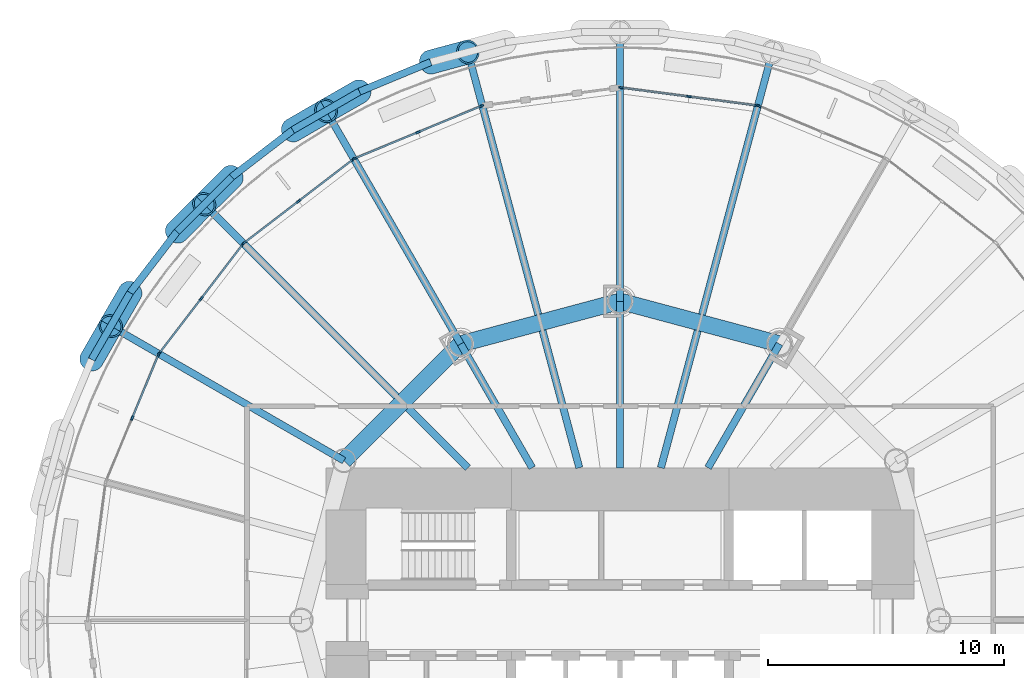
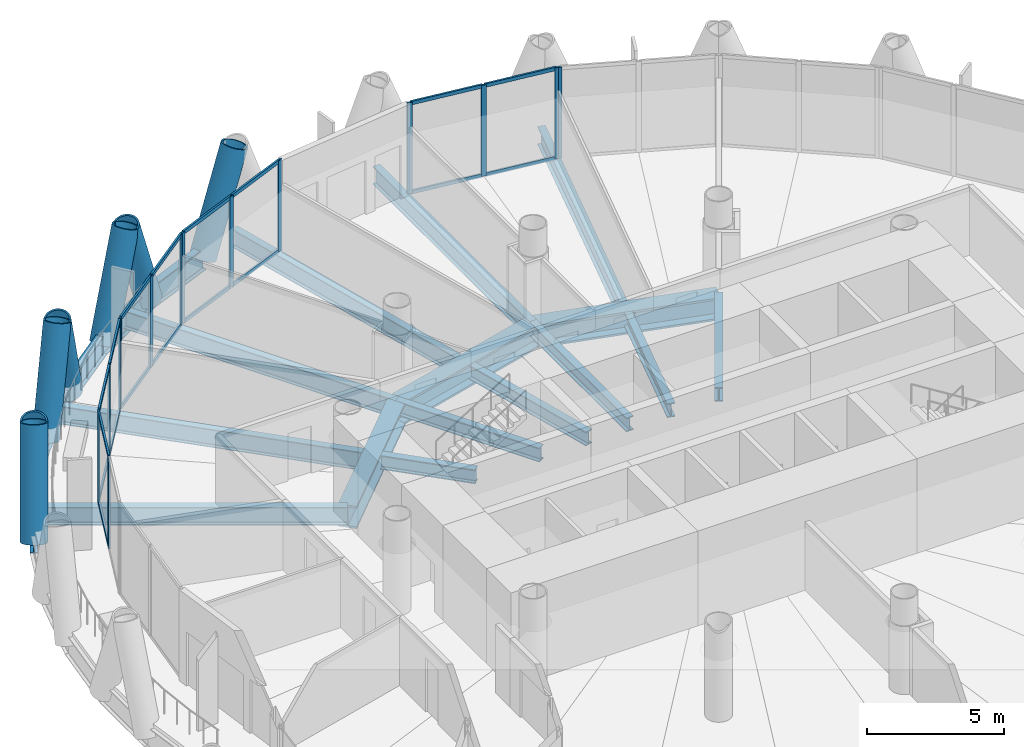
# One storey, part 6 of 16: 40 members, 21 beams, 6 elements without a shape of their own.
"""IFC4 building model written with IfcOpenShell, lengths in metres."""

from ifc_helpers import new_model, si_unit, direction, frame, origin, origin_2d, place, context, subcontext, project, spatial, rectangle, hollow_circle, i_section, extrude, material, material_profile, profile_set, type_object, element, aggregate, save


model = new_model("IFC4")

# Units and contexts
model_context = context("Model", 3, precision=1e-05, world=origin(), true_north=direction((0.0, 1.0)))
body_context = subcontext(model_context, "Body", "Model", "MODEL_VIEW")
ifc_project = project(units=[si_unit("LENGTHUNIT", "METRE"), si_unit("AREAUNIT", "SQUARE_METRE"), si_unit("VOLUMEUNIT", "CUBIC_METRE"), si_unit("PLANEANGLEUNIT", "RADIAN"), si_unit("MASSUNIT", "GRAM", prefix="KILO")], contexts=[model_context])

# Site, building, storey
site_placement = place(None, origin())
site = spatial("IfcSite", under=ifc_project, at=site_placement, CompositionType="ELEMENT")
building_placement = place(site_placement, origin())
building = spatial("IfcBuilding", under=site, at=building_placement, Name="Qaws Media Tower", CompositionType="ELEMENT")
storey_placement = place(building_placement, frame((0.0, 0.0, 139.39990234375)))
storey = spatial("IfcBuildingStorey", under=building, at=storey_placement, Name="L31", CompositionType="ELEMENT", Elevation=139.39990234375)

# Curtain wall, member
ifc_material_1 = material(Name="Aluminium and clear glass", Category="aluminium")
curtain_wall_type = type_object("IfcCurtainWallType", Name="Unitised curtain wall CW-B", PredefinedType="NOTDEFINED", material=ifc_material_1)
curtain_wall_1_placement = place(storey_placement, origin())
curtain_wall_1 = element("IfcCurtainWall", 1, at=curtain_wall_1_placement, inside=storey, type_object=curtain_wall_type, Name="CWB curtain wall L31-05", PredefinedType="NOTDEFINED")
ifc_material_2 = material(Name="Aluminium mullion", Category="aluminium")
ifc_material_profile_1 = material_profile(ifc_material_2, rectangle(XDim=0.080078125, YDim=0.199951171875, at=origin_2d()), Name="80x200")
ifc_profile_set_1 = profile_set([ifc_material_profile_1], Name="Aluminium mullion")
member_type_1 = type_object("IfcMemberType", Name="Curtain wall mullion 80x200", PredefinedType="MULLION", material=ifc_profile_set_1)
member_1_placement = place(storey_placement, frame((65.873291015625, 71.766357421875, 0.0), z_axis=(0.0, 0.0, 1.0), x_axis=(-0.382683327828, -0.923879575812, 0.0)))
member_1 = element("IfcMember", 2, at=member_1_placement, type_object=member_type_1, Name="CWB mullion 3", PredefinedType="MULLION", context=body_context, shape_type="SweptSolid", body=[
    extrude(rectangle(XDim=0.080078125, YDim=0.199951171875, at=origin_2d()), origin(), (0.0, 0.0, 1.0), 4.0400390625),
])
aggregate(curtain_wall_1, [member_1])

# Curtain wall, members
curtain_wall_2_placement = place(storey_placement, origin())
curtain_wall_2 = element("IfcCurtainWall", 3, at=curtain_wall_2_placement, inside=storey, type_object=curtain_wall_type, Name="CWB curtain wall L31-06", PredefinedType="NOTDEFINED")
member_2_placement = place(storey_placement, frame((65.796630859375, 71.786865234375, 0.0), z_axis=(0.0, 0.0, 1.0), x_axis=(-0.130526266402, -0.991444851608, 0.0)))
member_2 = element("IfcMember", 4, at=member_2_placement, type_object=member_type_1, Name="CWB mullion 1", PredefinedType="MULLION", context=body_context, shape_type="SweptSolid", body=[
    extrude(rectangle(XDim=0.080078125, YDim=0.199951171875, at=origin_2d()), origin(), (0.0, 0.0, 1.0), 4.0400390625),
])
member_3_placement = place(storey_placement, frame((62.918212890625, 72.165771484375, 0.0), z_axis=(0.0, 0.0, 1.0), x_axis=(-0.130526266402, -0.991444851608, 0.0)))
member_3 = element("IfcMember", 5, at=member_3_placement, type_object=member_type_1, Name="CWB mullion 2", PredefinedType="MULLION", context=body_context, shape_type="SweptSolid", body=[
    extrude(rectangle(XDim=0.080078125, YDim=0.199951171875, at=origin_2d()), origin(), (0.0, 0.0, 1.0), 4.0400390625),
])
member_4_placement = place(storey_placement, frame((60.03955078125, 72.544677734375, 0.0), z_axis=(0.0, 0.0, 1.0), x_axis=(-0.130526266402, -0.991444851608, 0.0)))
member_4 = element("IfcMember", 6, at=member_4_placement, type_object=member_type_1, Name="CWB mullion 3", PredefinedType="MULLION", context=body_context, shape_type="SweptSolid", body=[
    extrude(rectangle(XDim=0.080078125, YDim=0.199951171875, at=origin_2d()), origin(), (0.0, 0.0, 1.0), 4.0400390625),
])

curtain_wall_3_placement = place(storey_placement, origin())
curtain_wall_3 = element("IfcCurtainWall", 7, at=curtain_wall_3_placement, inside=storey, type_object=curtain_wall_type, Name="CWB curtain wall L31-08", PredefinedType="NOTDEFINED")
member_5_placement = place(storey_placement, frame((54.126708984375, 71.766357421875, 0.0), z_axis=(0.0, 0.0, 1.0), x_axis=(0.382683327828, -0.923879575812, 0.0)))
member_5 = element("IfcMember", 8, at=member_5_placement, type_object=member_type_1, Name="CWB mullion 1", PredefinedType="MULLION", context=body_context, shape_type="SweptSolid", body=[
    extrude(rectangle(XDim=0.080078125, YDim=0.199951171875, at=origin_2d()), origin(), (0.0, 0.0, 1.0), 4.0400390625),
])
member_6_placement = place(storey_placement, frame((51.4443359375, 70.6552734375, 0.0), z_axis=(0.0, 0.0, 1.0), x_axis=(0.382683327828, -0.923879575812, 0.0)))
member_6 = element("IfcMember", 9, at=member_6_placement, type_object=member_type_1, Name="CWB mullion 2", PredefinedType="MULLION", context=body_context, shape_type="SweptSolid", body=[
    extrude(rectangle(XDim=0.080078125, YDim=0.199951171875, at=origin_2d()), origin(), (0.0, 0.0, 1.0), 4.0400390625),
])
member_7_placement = place(storey_placement, frame((48.761962890625, 69.544189453125, 0.0), z_axis=(0.0, 0.0, 1.0), x_axis=(0.382683327828, -0.923879575812, 0.0)))
member_7 = element("IfcMember", 10, at=member_7_placement, type_object=member_type_1, Name="CWB mullion 3", PredefinedType="MULLION", context=body_context, shape_type="SweptSolid", body=[
    extrude(rectangle(XDim=0.080078125, YDim=0.199951171875, at=origin_2d()), origin(), (0.0, 0.0, 1.0), 4.0400390625),
])

curtain_wall_4_placement = place(storey_placement, origin())
curtain_wall_4 = element("IfcCurtainWall", 11, at=curtain_wall_4_placement, inside=storey, type_object=curtain_wall_type, Name="CWB curtain wall L31-09", PredefinedType="NOTDEFINED")
member_8_placement = place(storey_placement, frame((48.693359375, 69.504638671875, 0.0), z_axis=(0.0, 0.0, 1.0), x_axis=(0.608761428552, -0.793353340642, 0.0)))
member_8 = element("IfcMember", 12, at=member_8_placement, type_object=member_type_1, Name="CWB mullion 1", PredefinedType="MULLION", context=body_context, shape_type="SweptSolid", body=[
    extrude(rectangle(XDim=0.080078125, YDim=0.199951171875, at=origin_2d()), origin(), (0.0, 0.0, 1.0), 4.0400390625),
])
member_9_placement = place(storey_placement, frame((46.389892578125, 67.737060546875, 0.0), z_axis=(0.0, 0.0, 1.0), x_axis=(0.608761428552, -0.793353340642, 0.0)))
member_9 = element("IfcMember", 13, at=member_9_placement, type_object=member_type_1, Name="CWB mullion 2", PredefinedType="MULLION", context=body_context, shape_type="SweptSolid", body=[
    extrude(rectangle(XDim=0.080078125, YDim=0.199951171875, at=origin_2d()), origin(), (0.0, 0.0, 1.0), 4.0400390625),
])
member_10_placement = place(storey_placement, frame((44.08642578125, 65.9697265625, 0.0), z_axis=(0.0, 0.0, 1.0), x_axis=(0.608761428552, -0.793353340642, 0.0)))
member_10 = element("IfcMember", 14, at=member_10_placement, type_object=member_type_1, Name="CWB mullion 3", PredefinedType="MULLION", context=body_context, shape_type="SweptSolid", body=[
    extrude(rectangle(XDim=0.080078125, YDim=0.199951171875, at=origin_2d()), origin(), (0.0, 0.0, 1.0), 4.0400390625),
])

curtain_wall_5_placement = place(storey_placement, origin())
curtain_wall_5 = element("IfcCurtainWall", 15, at=curtain_wall_5_placement, inside=storey, type_object=curtain_wall_type, Name="CWB curtain wall L31-10", PredefinedType="NOTDEFINED")
member_11_placement = place(storey_placement, frame((44.0302734375, 65.91357421875, 0.0), z_axis=(0.0, 0.0, 1.0), x_axis=(0.793353340642, -0.608761428552, 0.0)))
member_11 = element("IfcMember", 16, at=member_11_placement, type_object=member_type_1, Name="CWB mullion 1", PredefinedType="MULLION", context=body_context, shape_type="SweptSolid", body=[
    extrude(rectangle(XDim=0.080078125, YDim=0.199951171875, at=origin_2d()), origin(), (0.0, 0.0, 1.0), 4.0400390625),
])
member_12_placement = place(storey_placement, frame((42.262939453125, 63.610107421875, 0.0), z_axis=(0.0, 0.0, 1.0), x_axis=(0.793353340642, -0.608761428552, 0.0)))
member_12 = element("IfcMember", 17, at=member_12_placement, type_object=member_type_1, Name="CWB mullion 2", PredefinedType="MULLION", context=body_context, shape_type="SweptSolid", body=[
    extrude(rectangle(XDim=0.080078125, YDim=0.199951171875, at=origin_2d()), origin(), (0.0, 0.0, 1.0), 4.0400390625),
])
member_13_placement = place(storey_placement, frame((40.495361328125, 61.306640625, 0.0), z_axis=(0.0, 0.0, 1.0), x_axis=(0.793353340642, -0.608761428552, 0.0)))
member_13 = element("IfcMember", 18, at=member_13_placement, type_object=member_type_1, Name="CWB mullion 3", PredefinedType="MULLION", context=body_context, shape_type="SweptSolid", body=[
    extrude(rectangle(XDim=0.080078125, YDim=0.199951171875, at=origin_2d()), origin(), (0.0, 0.0, 1.0), 4.0400390625),
])

curtain_wall_6_placement = place(storey_placement, origin())
curtain_wall_6 = element("IfcCurtainWall", 19, at=curtain_wall_6_placement, inside=storey, type_object=curtain_wall_type, Name="CWB curtain wall L31-11", PredefinedType="NOTDEFINED")
member_14_placement = place(storey_placement, frame((40.455810546875, 61.238037109375, 0.0), z_axis=(0.0, 0.0, 1.0), x_axis=(0.923879575812, -0.382683327828, 0.0)))
member_14 = element("IfcMember", 20, at=member_14_placement, type_object=member_type_1, Name="CWB mullion 1", PredefinedType="MULLION", context=body_context, shape_type="SweptSolid", body=[
    extrude(rectangle(XDim=0.080078125, YDim=0.199951171875, at=origin_2d()), origin(), (0.0, 0.0, 1.0), 4.0400390625),
])
member_15_placement = place(storey_placement, frame((39.3447265625, 58.5556640625, 0.0), z_axis=(0.0, 0.0, 1.0), x_axis=(0.923879575812, -0.382683327828, 0.0)))
member_15 = element("IfcMember", 21, at=member_15_placement, type_object=member_type_1, Name="CWB mullion 2", PredefinedType="MULLION", context=body_context, shape_type="SweptSolid", body=[
    extrude(rectangle(XDim=0.080078125, YDim=0.199951171875, at=origin_2d()), origin(), (0.0, 0.0, 1.0), 4.0400390625),
])

# Member
ifc_material_3 = material(Name="Aluminium transom", Category="aluminium")
ifc_material_profile_2 = material_profile(ifc_material_3, rectangle(XDim=0.080078125, YDim=0.159912109375, at=origin_2d()), Name="80x160")
ifc_profile_set_2 = profile_set([ifc_material_profile_2], Name="Aluminium transom")
member_type_2 = type_object("IfcMemberType", Name="Curtain wall transom 80x160", PredefinedType="USERDEFINED", material=ifc_profile_set_2)
member_16_placement = place(storey_placement, frame((65.757080078125, 71.7919921875, 0.0400390625), z_axis=(-0.991439573819, 0.130566348898, 0.0), x_axis=(-0.130566348898, -0.991439573819, 0.0)))
member_16 = element("IfcMember", 22, at=member_16_placement, type_object=member_type_2, Name="CWB transom 1.1", ObjectType="TRANSOM", PredefinedType="USERDEFINED", context=body_context, shape_type="SweptSolid", body=[
    extrude(rectangle(XDim=0.080078125, YDim=0.159912109375, at=origin_2d()), origin(), (0.0, 0.0, 1.0), 2.823486328125),
])

member_17_placement = place(storey_placement, frame((65.757080078125, 71.7919921875, 4.0), z_axis=(-0.991439573819, 0.130566348898, 0.0), x_axis=(-0.130566348898, -0.991439573819, 0.0)))
member_17 = element("IfcMember", 23, at=member_17_placement, type_object=member_type_2, Name="CWB transom 1.2", ObjectType="TRANSOM", PredefinedType="USERDEFINED", context=body_context, shape_type="SweptSolid", body=[
    extrude(rectangle(XDim=0.080078125, YDim=0.159912109375, at=origin_2d()), origin(), (0.0, 0.0, 1.0), 2.823486328125),
])

member_18_placement = place(storey_placement, frame((62.87841796875, 72.171142578125, 0.0400390625), z_axis=(-0.991449291087, 0.130492540798, 0.0), x_axis=(-0.130492540798, -0.991449291087, 0.0)))
member_18 = element("IfcMember", 24, at=member_18_placement, type_object=member_type_2, Name="CWB transom 2.1", ObjectType="TRANSOM", PredefinedType="USERDEFINED", context=body_context, shape_type="SweptSolid", body=[
    extrude(rectangle(XDim=0.080078125, YDim=0.159912109375, at=origin_2d()), origin(), (0.0, 0.0, 1.0), 2.8232421875),
])

member_19_placement = place(storey_placement, frame((62.87841796875, 72.171142578125, 4.0), z_axis=(-0.991449291087, 0.130492540798, 0.0), x_axis=(-0.130492540798, -0.991449291087, 0.0)))
member_19 = element("IfcMember", 25, at=member_19_placement, type_object=member_type_2, Name="CWB transom 2.2", ObjectType="TRANSOM", PredefinedType="USERDEFINED", context=body_context, shape_type="SweptSolid", body=[
    extrude(rectangle(XDim=0.080078125, YDim=0.159912109375, at=origin_2d()), origin(), (0.0, 0.0, 1.0), 2.8232421875),
])

aggregate(curtain_wall_2, [member_2, member_3, member_4, member_16, member_17, member_18, member_19])

member_20_placement = place(storey_placement, frame((54.089599609375, 71.7509765625, 0.0400390625), z_axis=(-0.923893525329, -0.382649648969, 0.0), x_axis=(0.382649648969, -0.923893525329, 0.0)))
member_20 = element("IfcMember", 26, at=member_20_placement, type_object=member_type_2, Name="CWB transom 1.1", ObjectType="TRANSOM", PredefinedType="USERDEFINED", context=body_context, shape_type="SweptSolid", body=[
    extrude(rectangle(XDim=0.080078125, YDim=0.159912109375, at=origin_2d()), origin(), (0.0, 0.0, 1.0), 2.8232421875),
])

member_21_placement = place(storey_placement, frame((54.089599609375, 71.7509765625, 4.0), z_axis=(-0.923893525329, -0.382649648969, 0.0), x_axis=(0.382649648969, -0.923893525329, 0.0)))
member_21 = element("IfcMember", 27, at=member_21_placement, type_object=member_type_2, Name="CWB transom 1.2", ObjectType="TRANSOM", PredefinedType="USERDEFINED", context=body_context, shape_type="SweptSolid", body=[
    extrude(rectangle(XDim=0.080078125, YDim=0.159912109375, at=origin_2d()), origin(), (0.0, 0.0, 1.0), 2.8232421875),
])

member_22_placement = place(storey_placement, frame((51.407470703125, 70.639892578125, 0.0400390625), z_axis=(-0.923906185473, -0.382619080086, 0.0), x_axis=(0.382619080086, -0.923906185473, 0.0)))
member_22 = element("IfcMember", 28, at=member_22_placement, type_object=member_type_2, Name="CWB transom 2.1", ObjectType="TRANSOM", PredefinedType="USERDEFINED", context=body_context, shape_type="SweptSolid", body=[
    extrude(rectangle(XDim=0.080078125, YDim=0.159912109375, at=origin_2d()), origin(), (0.0, 0.0, 1.0), 2.823486328125),
])

member_23_placement = place(storey_placement, frame((51.407470703125, 70.639892578125, 4.0), z_axis=(-0.923906185473, -0.382619080086, 0.0), x_axis=(0.382619080086, -0.923906185473, 0.0)))
member_23 = element("IfcMember", 29, at=member_23_placement, type_object=member_type_2, Name="CWB transom 2.2", ObjectType="TRANSOM", PredefinedType="USERDEFINED", context=body_context, shape_type="SweptSolid", body=[
    extrude(rectangle(XDim=0.080078125, YDim=0.159912109375, at=origin_2d()), origin(), (0.0, 0.0, 1.0), 2.823486328125),
])

aggregate(curtain_wall_3, [member_5, member_6, member_7, member_20, member_21, member_22, member_23])

member_24_placement = place(storey_placement, frame((48.66162109375, 69.480224609375, 0.0400390625), z_axis=(-0.793362741399, -0.608749177051, 0.0), x_axis=(0.608749177051, -0.793362741399, 0.0)))
member_24 = element("IfcMember", 30, at=member_24_placement, type_object=member_type_2, Name="CWB transom 1.1", ObjectType="TRANSOM", PredefinedType="USERDEFINED", context=body_context, shape_type="SweptSolid", body=[
    extrude(rectangle(XDim=0.080078125, YDim=0.159912109375, at=origin_2d()), origin(), (0.0, 0.0, 1.0), 2.823486328125),
])

member_25_placement = place(storey_placement, frame((48.66162109375, 69.480224609375, 4.0), z_axis=(-0.793362741399, -0.608749177051, 0.0), x_axis=(0.608749177051, -0.793362741399, 0.0)))
member_25 = element("IfcMember", 31, at=member_25_placement, type_object=member_type_2, Name="CWB transom 1.2", ObjectType="TRANSOM", PredefinedType="USERDEFINED", context=body_context, shape_type="SweptSolid", body=[
    extrude(rectangle(XDim=0.080078125, YDim=0.159912109375, at=origin_2d()), origin(), (0.0, 0.0, 1.0), 2.823486328125),
])

member_26_placement = place(storey_placement, frame((46.358154296875, 67.712646484375, 0.0400390625), z_axis=(-0.793362741399, -0.608749177051, 0.0), x_axis=(0.608749177051, -0.793362741399, 0.0)))
member_26 = element("IfcMember", 32, at=member_26_placement, type_object=member_type_2, Name="CWB transom 2.1", ObjectType="TRANSOM", PredefinedType="USERDEFINED", context=body_context, shape_type="SweptSolid", body=[
    extrude(rectangle(XDim=0.080078125, YDim=0.159912109375, at=origin_2d()), origin(), (0.0, 0.0, 1.0), 2.823486328125),
])

member_27_placement = place(storey_placement, frame((46.358154296875, 67.712646484375, 4.0), z_axis=(-0.793362741399, -0.608749177051, 0.0), x_axis=(0.608749177051, -0.793362741399, 0.0)))
member_27 = element("IfcMember", 33, at=member_27_placement, type_object=member_type_2, Name="CWB transom 2.2", ObjectType="TRANSOM", PredefinedType="USERDEFINED", context=body_context, shape_type="SweptSolid", body=[
    extrude(rectangle(XDim=0.080078125, YDim=0.159912109375, at=origin_2d()), origin(), (0.0, 0.0, 1.0), 2.823486328125),
])

aggregate(curtain_wall_4, [member_8, member_9, member_10, member_24, member_25, member_26, member_27])

member_28_placement = place(storey_placement, frame((44.006103515625, 65.8818359375, 0.0400390625), z_axis=(-0.608749177051, -0.793362741399, 0.0), x_axis=(0.793362741399, -0.608749177051, 0.0)))
member_28 = element("IfcMember", 34, at=member_28_placement, type_object=member_type_2, Name="CWB transom 1.1", ObjectType="TRANSOM", PredefinedType="USERDEFINED", context=body_context, shape_type="SweptSolid", body=[
    extrude(rectangle(XDim=0.080078125, YDim=0.159912109375, at=origin_2d()), origin(), (0.0, 0.0, 1.0), 2.823486328125),
])

member_29_placement = place(storey_placement, frame((44.006103515625, 65.8818359375, 4.0), z_axis=(-0.608749177051, -0.793362741399, 0.0), x_axis=(0.793362741399, -0.608749177051, 0.0)))
member_29 = element("IfcMember", 35, at=member_29_placement, type_object=member_type_2, Name="CWB transom 1.2", ObjectType="TRANSOM", PredefinedType="USERDEFINED", context=body_context, shape_type="SweptSolid", body=[
    extrude(rectangle(XDim=0.080078125, YDim=0.159912109375, at=origin_2d()), origin(), (0.0, 0.0, 1.0), 2.823486328125),
])

member_30_placement = place(storey_placement, frame((42.238525390625, 63.578369140625, 0.0400390625), z_axis=(-0.608749177051, -0.793362741399, 0.0), x_axis=(0.793362741399, -0.608749177051, 0.0)))
member_30 = element("IfcMember", 36, at=member_30_placement, type_object=member_type_2, Name="CWB transom 2.1", ObjectType="TRANSOM", PredefinedType="USERDEFINED", context=body_context, shape_type="SweptSolid", body=[
    extrude(rectangle(XDim=0.080078125, YDim=0.159912109375, at=origin_2d()), origin(), (0.0, 0.0, 1.0), 2.823486328125),
])

member_31_placement = place(storey_placement, frame((42.238525390625, 63.578369140625, 4.0), z_axis=(-0.608749177051, -0.793362741399, 0.0), x_axis=(0.793362741399, -0.608749177051, 0.0)))
member_31 = element("IfcMember", 37, at=member_31_placement, type_object=member_type_2, Name="CWB transom 2.2", ObjectType="TRANSOM", PredefinedType="USERDEFINED", context=body_context, shape_type="SweptSolid", body=[
    extrude(rectangle(XDim=0.080078125, YDim=0.159912109375, at=origin_2d()), origin(), (0.0, 0.0, 1.0), 2.823486328125),
])

aggregate(curtain_wall_5, [member_11, member_12, member_13, member_28, member_29, member_30, member_31])

member_32_placement = place(storey_placement, frame((40.4404296875, 61.201171875, 0.0400390625), z_axis=(-0.382619080086, -0.923906185473, 0.0), x_axis=(0.923906185473, -0.382619080086, 0.0)))
member_32 = element("IfcMember", 38, at=member_32_placement, type_object=member_type_2, Name="CWB transom 1.1", ObjectType="TRANSOM", PredefinedType="USERDEFINED", context=body_context, shape_type="SweptSolid", body=[
    extrude(rectangle(XDim=0.080078125, YDim=0.159912109375, at=origin_2d()), origin(), (0.0, 0.0, 1.0), 2.823486328125),
])

member_33_placement = place(storey_placement, frame((40.4404296875, 61.201171875, 4.0), z_axis=(-0.382619080086, -0.923906185473, 0.0), x_axis=(0.923906185473, -0.382619080086, 0.0)))
member_33 = element("IfcMember", 39, at=member_33_placement, type_object=member_type_2, Name="CWB transom 1.2", ObjectType="TRANSOM", PredefinedType="USERDEFINED", context=body_context, shape_type="SweptSolid", body=[
    extrude(rectangle(XDim=0.080078125, YDim=0.159912109375, at=origin_2d()), origin(), (0.0, 0.0, 1.0), 2.823486328125),
])

aggregate(curtain_wall_6, [member_14, member_15, member_32, member_33])

# Members
ifc_material_4 = material(Name="Steel S460", Category="steel")
ifc_material_profile_3 = material_profile(ifc_material_4, hollow_circle(Radius=0.508056640625, WallThickness=0.070068359375, at=origin_2d()), Name="CHS 1016x70")
ifc_profile_set_3 = profile_set([ifc_material_profile_3], Name="Steel S460")
member_type_3 = type_object("IfcMemberType", Name="Diagrid member CHS 1016x70", PredefinedType="USERDEFINED", material=ifc_profile_set_3)
for number, where, z_axis, x_axis, name in (
    (40, (48.96484375, 72.376953125, -0.663818359375), (-0.313994548223, -0.180431724863, 0.932122211059), (0.498232164266, -0.867043661237, 0.0), "DG3 diagrid L31 A08"),
    (41, (51.97998046875, 73.6259765625, -0.663818359375), (0.349643146667, 0.094441035897, 0.932110809254), (-0.260762064686, 0.965403100068, 0.0), "DG3 diagrid L31 B08"),
    (42, (43.54931640625, 68.75830078125, -0.663818359375), (-0.25661422454, -0.255530549605, 0.932122995094), (0.705608995959, -0.708601400522, 0.0), "DG3 diagrid L31 A09"),
    (43, (46.138427734375, 70.7451171875, -0.663818359375), (0.313285600397, 0.181729488712, 0.932108644696), (-0.501767344551, 0.865002619616, 0.0), "DG3 diagrid L31 B09"),
    (44, (39.2548828125, 63.861572265625, -0.663818359375), (-0.181729488712, -0.313285600397, 0.932108644696), (0.865002619616, -0.501767344551, 0.0), "DG3 diagrid L31 A10"),
    (45, (41.24169921875, 66.45068359375, -0.663818359375), (0.255530549605, 0.25661422454, 0.932122995094), (-0.708601400522, 0.705608995959, 0.0), "DG3 diagrid L31 B10"),
    (46, (37.623046875, 61.03515625, -0.663818359375), (0.180431724863, 0.313994548223, 0.932122211059), (-0.867043661237, 0.498232164266, 0.0), "DG3 diagrid L31 B11"),
):
    element("IfcMember", number, at=place(storey_placement, frame(where, z_axis=z_axis, x_axis=x_axis)), inside=storey, type_object=member_type_3, Name=name, ObjectType="DIAGRID", PredefinedType="USERDEFINED", context=body_context, shape_type="SweptSolid", body=[
        extrude(hollow_circle(Radius=0.508056640625, WallThickness=0.070068359375, at=origin_2d()), origin(), (0.0, 0.0, 1.0), 4.505859375),
    ])

# Beams
ifc_material_5 = material(Name="Steel S460", Category="steel")
ifc_material_profile_4 = material_profile(ifc_material_5, i_section(OverallWidth=0.302001953125, OverallDepth=1.008056640625, WebThickness=0.02099609375, FlangeThickness=0.0400390625, FilletRadius=0.030029296875, at=origin_2d()), Name="HE 1000 M")
ifc_profile_set_4 = profile_set([ifc_material_profile_4], Name="Steel S460")
beam_type_1 = type_object("IfcBeamType", Name="Edge ring beam HE 1000 M", PredefinedType="BEAM", material=ifc_profile_set_4)
for number, where, z_axis, x_axis, name in (
    (47, (51.97998046875, 73.6259765625, -0.663818359375), (-0.92386729958, -0.382712963939, 0.0), (0.382712963939, -0.92386729958, 0.0), "RB3 edge ring beam L31-15"),
    (48, (48.96484375, 72.376953125, -0.663818359375), (-0.866024887666, -0.500000893942, 0.0), (0.500000893942, -0.866024887666, 0.0), "RB3 edge ring beam L31-16"),
    (49, (46.138427734375, 70.7451171875, -0.663818359375), (-0.793335373101, -0.608784843592, 0.0), (0.608784843592, -0.793335373101, 0.0), "RB3 edge ring beam L31-17"),
):
    element("IfcBeam", number, at=place(storey_placement, frame(where, z_axis=z_axis, x_axis=x_axis)), inside=storey, type_object=beam_type_1, Name=name, PredefinedType="BEAM", context=body_context, shape_type="SweptSolid", body=[
        extrude(i_section(OverallWidth=0.302001953125, OverallDepth=1.008056640625, WebThickness=0.02099609375, FlangeThickness=0.0400390625, FilletRadius=0.030029296875, at=origin_2d()), origin(), (0.0, 0.0, 1.0), 3.263671875),
    ])
beam_1_placement = place(storey_placement, frame((43.54931640625, 68.75830078125, -0.663818359375), z_axis=(-0.707106781187, -0.707106781187, 0.0), x_axis=(0.707106781187, -0.707106781187, 0.0)))
element("IfcBeam", 50, at=beam_1_placement, inside=storey, type_object=beam_type_1, Name="RB3 edge ring beam L31-18", PredefinedType="BEAM", context=body_context, shape_type="SweptSolid", body=[
    extrude(i_section(OverallWidth=0.302001953125, OverallDepth=1.008056640625, WebThickness=0.02099609375, FlangeThickness=0.0400390625, FilletRadius=0.030029296875, at=origin_2d()), origin(), (0.0, 0.0, 1.0), 3.263427734375),
])
for number, where, z_axis, x_axis, name in (
    (51, (41.24169921875, 66.45068359375, -0.663818359375), (-0.608784843592, -0.793335373101, 0.0), (0.793335373101, -0.608784843592, 0.0), "RB3 edge ring beam L31-19"),
    (52, (39.2548828125, 63.861572265625, -0.663818359375), (-0.500000893942, -0.866024887666, 0.0), (0.866024887666, -0.500000893942, 0.0), "RB3 edge ring beam L31-20"),
):
    element("IfcBeam", number, at=place(storey_placement, frame(where, z_axis=z_axis, x_axis=x_axis)), inside=storey, type_object=beam_type_1, Name=name, PredefinedType="BEAM", context=body_context, shape_type="SweptSolid", body=[
        extrude(i_section(OverallWidth=0.302001953125, OverallDepth=1.008056640625, WebThickness=0.02099609375, FlangeThickness=0.0400390625, FilletRadius=0.030029296875, at=origin_2d()), origin(), (0.0, 0.0, 1.0), 3.263671875),
    ])
ifc_material_6 = material(Name="Steel S460", Category="steel")
ifc_material_profile_5 = material_profile(ifc_material_6, i_section(OverallWidth=0.699951171875, OverallDepth=1.0, WebThickness=0.034912109375, FlangeThickness=0.090087890625, at=origin_2d()), Name="PG 1000x700")
ifc_profile_set_5 = profile_set([ifc_material_profile_5], Name="Steel S460")
beam_type_2 = type_object("IfcBeamType", Name="Inner ring girder PG 1000x700", PredefinedType="BEAM", material=ifc_profile_set_5)
for number, where, z_axis, x_axis, name in (
    (53, (66.75, 61.69140625, -0.659912109375), (-0.965928090778, 0.258810593767, 0.0), (-0.258810593767, -0.965928090778, 0.0), "B3 inner ring beam L31 I03-I04"),
    (54, (60.0, 63.5, -0.659912109375), (-0.965928090778, -0.258810593767, 0.0), (0.258810593767, -0.965928090778, 0.0), "B3 inner ring beam L31 I04-I05"),
):
    element("IfcBeam", number, at=place(storey_placement, frame(where, z_axis=z_axis, x_axis=x_axis)), inside=storey, type_object=beam_type_2, Name=name, PredefinedType="BEAM", context=body_context, shape_type="SweptSolid", body=[
        extrude(i_section(OverallWidth=0.699951171875, OverallDepth=1.0, WebThickness=0.034912109375, FlangeThickness=0.090087890625, at=origin_2d()), origin(), (0.0, 0.0, 1.0), 6.988037109375),
    ])
beam_2_placement = place(storey_placement, frame((53.25, 61.69140625, -0.659912109375), z_axis=(-0.707106781187, -0.707106781187, 0.0), x_axis=(0.707106781187, -0.707106781187, 0.0)))
element("IfcBeam", 55, at=beam_2_placement, inside=storey, type_object=beam_type_2, Name="B3 inner ring beam L31 I05-I06", PredefinedType="BEAM", context=body_context, shape_type="SweptSolid", body=[
    extrude(i_section(OverallWidth=0.699951171875, OverallDepth=1.0, WebThickness=0.034912109375, FlangeThickness=0.090087890625, at=origin_2d()), origin(), (0.0, 0.0, 1.0), 6.98828125),
])
ifc_material_7 = material(Name="Steel S355", Category="steel")
ifc_material_profile_6 = material_profile(ifc_material_7, i_section(OverallWidth=0.304931640625, OverallDepth=0.6201171875, WebThickness=0.02099609375, FlangeThickness=0.0400390625, FilletRadius=0.027099609375, at=origin_2d()), Name="HE 600 M")
ifc_profile_set_6 = profile_set([ifc_material_profile_6], Name="Steel S355")
beam_type_3 = type_object("IfcBeamType", Name="Radial beam HE 600 M, core side", PredefinedType="BEAM", material=ifc_profile_set_6)
beam_3_placement = place(storey_placement, frame((63.723876953125, 56.449951171875, -0.469970703125), z_axis=(0.499995978368, 0.866027725662, 0.0), x_axis=(-0.866027725662, 0.499995978368, 0.0)))
element("IfcBeam", 56, at=beam_3_placement, inside=storey, type_object=beam_type_3, Name="B2 radial beam L31 05", PredefinedType="BEAM", context=body_context, shape_type="SweptSolid", body=[
    extrude(i_section(OverallWidth=0.304931640625, OverallDepth=0.6201171875, WebThickness=0.02099609375, FlangeThickness=0.0400390625, FilletRadius=0.027099609375, at=origin_2d()), origin(), (0.0, 0.0, 1.0), 6.05224609375),
])
beam_4_placement = place(storey_placement, frame((61.728271484375, 56.449951171875, -0.469970703125), z_axis=(0.258819977482, 0.965925576458, 0.0), x_axis=(-0.965925576458, 0.258819977482, 0.0)))
element("IfcBeam", 57, at=beam_4_placement, inside=storey, type_object=beam_type_3, Name="B2 radial beam L31 06", PredefinedType="BEAM", context=body_context, shape_type="SweptSolid", body=[
    extrude(i_section(OverallWidth=0.304931640625, OverallDepth=0.6201171875, WebThickness=0.02099609375, FlangeThickness=0.0400390625, FilletRadius=0.027099609375, at=origin_2d()), origin(), (0.0, 0.0, 1.0), 6.012451171875),
])
beam_5_placement = place(storey_placement, frame((60.0, 56.449951171875, -0.469970703125), z_axis=(0.0, 1.0, 0.0), x_axis=(-1.0, 0.0, 0.0)))
element("IfcBeam", 58, at=beam_5_placement, inside=storey, type_object=beam_type_3, Name="B2 radial beam L31 07", PredefinedType="BEAM", context=body_context, shape_type="SweptSolid", body=[
    extrude(i_section(OverallWidth=0.304931640625, OverallDepth=0.6201171875, WebThickness=0.02099609375, FlangeThickness=0.0400390625, FilletRadius=0.027099609375, at=origin_2d()), origin(), (0.0, 0.0, 1.0), 7.050048828125),
])
beam_6_placement = place(storey_placement, frame((58.271728515625, 56.449951171875, -0.469970703125), z_axis=(-0.258819977482, 0.965925576458, 0.0), x_axis=(-0.965925576458, -0.258819977482, 0.0)))
element("IfcBeam", 59, at=beam_6_placement, inside=storey, type_object=beam_type_3, Name="B2 radial beam L31 08", PredefinedType="BEAM", context=body_context, shape_type="SweptSolid", body=[
    extrude(i_section(OverallWidth=0.304931640625, OverallDepth=0.6201171875, WebThickness=0.02099609375, FlangeThickness=0.0400390625, FilletRadius=0.027099609375, at=origin_2d()), origin(), (0.0, 0.0, 1.0), 6.012451171875),
])
beam_7_placement = place(storey_placement, frame((56.276123046875, 56.449951171875, -0.469970703125), z_axis=(-0.499995978368, 0.866027725662, 0.0), x_axis=(-0.866027725662, -0.499995978368, 0.0)))
element("IfcBeam", 60, at=beam_7_placement, inside=storey, type_object=beam_type_3, Name="B2 radial beam L31 09", PredefinedType="BEAM", context=body_context, shape_type="SweptSolid", body=[
    extrude(i_section(OverallWidth=0.304931640625, OverallDepth=0.6201171875, WebThickness=0.02099609375, FlangeThickness=0.0400390625, FilletRadius=0.027099609375, at=origin_2d()), origin(), (0.0, 0.0, 1.0), 6.05224609375),
])
beam_8_placement = place(storey_placement, frame((53.550048828125, 56.449951171875, -0.469970703125), z_axis=(-0.707106781187, 0.707106781187, 0.0), x_axis=(-0.707106781187, -0.707106781187, 0.0)))
element("IfcBeam", 61, at=beam_8_placement, inside=storey, type_object=beam_type_3, Name="B2 radial beam L31 10", PredefinedType="BEAM", context=body_context, shape_type="SweptSolid", body=[
    extrude(i_section(OverallWidth=0.304931640625, OverallDepth=0.6201171875, WebThickness=0.02099609375, FlangeThickness=0.0400390625, FilletRadius=0.027099609375, at=origin_2d()), origin(), (0.0, 0.0, 1.0), 3.568359375),
])
ifc_material_8 = material(Name="Steel S355", Category="steel")
ifc_material_profile_7 = material_profile(ifc_material_8, i_section(OverallWidth=0.300048828125, OverallDepth=0.800048828125, WebThickness=0.017578125, FlangeThickness=0.032958984375, FilletRadius=0.030029296875, at=origin_2d()), Name="HE 800 B")
ifc_profile_set_7 = profile_set([ifc_material_profile_7], Name="Steel S355")
beam_type_4 = type_object("IfcBeamType", Name="Radial beam HE 800 B", PredefinedType="BEAM", material=ifc_profile_set_7)
beam_9_placement = place(storey_placement, frame((63.465576171875, 62.933837890625, -0.559814453125), z_axis=(0.258811384245, 0.965927878977, 0.0), x_axis=(-0.965927878977, 0.258811384245, 0.0)))
element("IfcBeam", 62, at=beam_9_placement, inside=storey, type_object=beam_type_4, Name="B1 radial beam L31 06", PredefinedType="BEAM", context=body_context, shape_type="SweptSolid", body=[
    extrude(i_section(OverallWidth=0.300048828125, OverallDepth=0.800048828125, WebThickness=0.017578125, FlangeThickness=0.032958984375, FilletRadius=0.030029296875, at=origin_2d()), origin(), (0.0, 0.0, 1.0), 11.506591796875),
])
beam_10_placement = place(storey_placement, frame((60.0, 63.5, -0.559814453125), z_axis=(0.0, 1.0, 0.0), x_axis=(-1.0, 0.0, 0.0)))
element("IfcBeam", 63, at=beam_10_placement, inside=storey, type_object=beam_type_4, Name="B1 radial beam L31 07", PredefinedType="BEAM", context=body_context, shape_type="SweptSolid", body=[
    extrude(i_section(OverallWidth=0.300048828125, OverallDepth=0.800048828125, WebThickness=0.017578125, FlangeThickness=0.032958984375, FilletRadius=0.030029296875, at=origin_2d()), origin(), (0.0, 0.0, 1.0), 11.396484375),
])
beam_11_placement = place(storey_placement, frame((56.534423828125, 62.933837890625, -0.559814453125), z_axis=(-0.258811384245, 0.965927878977, 0.0), x_axis=(-0.965927878977, -0.258811384245, 0.0)))
element("IfcBeam", 64, at=beam_11_placement, inside=storey, type_object=beam_type_4, Name="B1 radial beam L31 08", PredefinedType="BEAM", context=body_context, shape_type="SweptSolid", body=[
    extrude(i_section(OverallWidth=0.300048828125, OverallDepth=0.800048828125, WebThickness=0.017578125, FlangeThickness=0.032958984375, FilletRadius=0.030029296875, at=origin_2d()), origin(), (0.0, 0.0, 1.0), 11.506591796875),
])
beam_12_placement = place(storey_placement, frame((53.25, 61.69140625, -0.559814453125), z_axis=(-0.500000610825, 0.866025051124, 0.0), x_axis=(-0.866025051124, -0.500000610825, 0.0)))
element("IfcBeam", 65, at=beam_12_placement, inside=storey, type_object=beam_type_4, Name="B1 radial beam L31 09", PredefinedType="BEAM", context=body_context, shape_type="SweptSolid", body=[
    extrude(i_section(OverallWidth=0.300048828125, OverallDepth=0.800048828125, WebThickness=0.017578125, FlangeThickness=0.032958984375, FilletRadius=0.030029296875, at=origin_2d()), origin(), (0.0, 0.0, 1.0), 11.396484375),
])
beam_13_placement = place(storey_placement, frame((50.53173828125, 59.46826171875, -0.559814453125), z_axis=(-0.707106781187, 0.707106781187, 0.0), x_axis=(-0.707106781187, -0.707106781187, 0.0)))
element("IfcBeam", 66, at=beam_13_placement, inside=storey, type_object=beam_type_4, Name="B1 radial beam L31 10", PredefinedType="BEAM", context=body_context, shape_type="SweptSolid", body=[
    extrude(i_section(OverallWidth=0.300048828125, OverallDepth=0.800048828125, WebThickness=0.017578125, FlangeThickness=0.032958984375, FilletRadius=0.030029296875, at=origin_2d()), origin(), (0.0, 0.0, 1.0), 11.50634765625),
])
beam_14_placement = place(storey_placement, frame((48.30859375, 56.75, -0.559814453125), z_axis=(-0.866025051124, 0.500000610825, 0.0), x_axis=(-0.500000610825, -0.866025051124, 0.0)))
element("IfcBeam", 67, at=beam_14_placement, inside=storey, type_object=beam_type_4, Name="B1 radial beam L31 11", PredefinedType="BEAM", context=body_context, shape_type="SweptSolid", body=[
    extrude(i_section(OverallWidth=0.300048828125, OverallDepth=0.800048828125, WebThickness=0.017578125, FlangeThickness=0.032958984375, FilletRadius=0.030029296875, at=origin_2d()), origin(), (0.0, 0.0, 1.0), 11.396484375),
])

save(model, "model.ifc")
